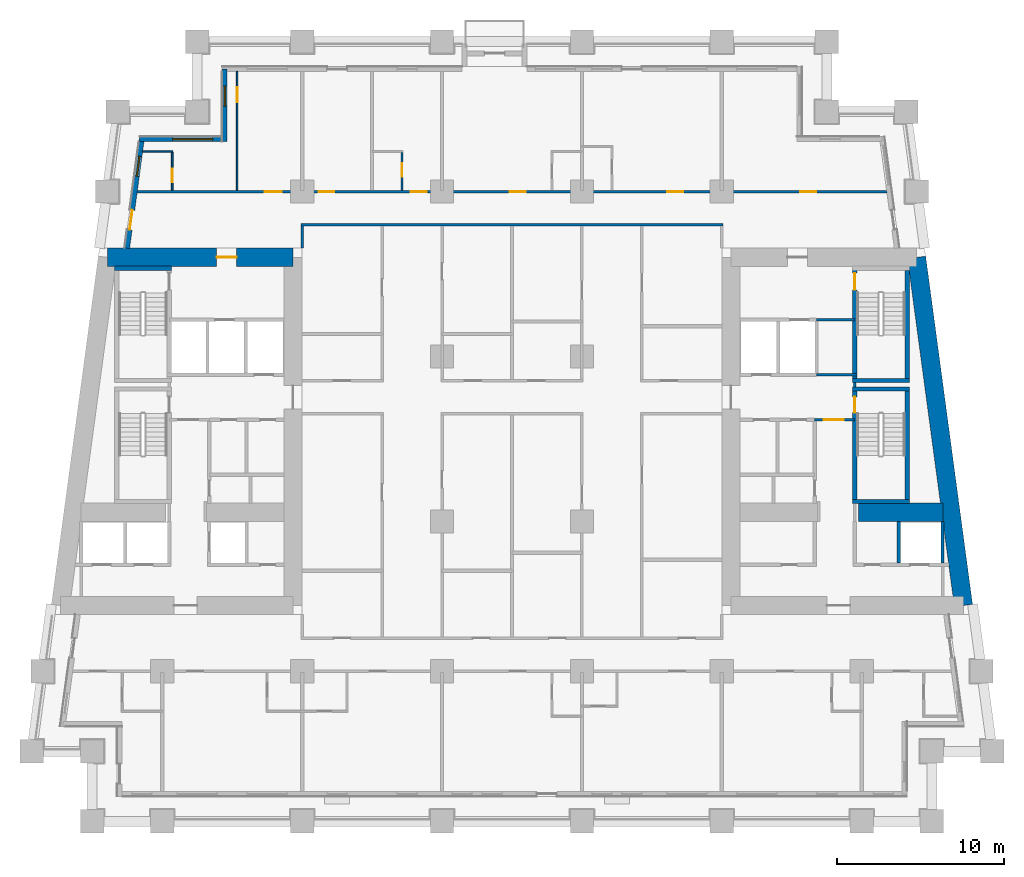
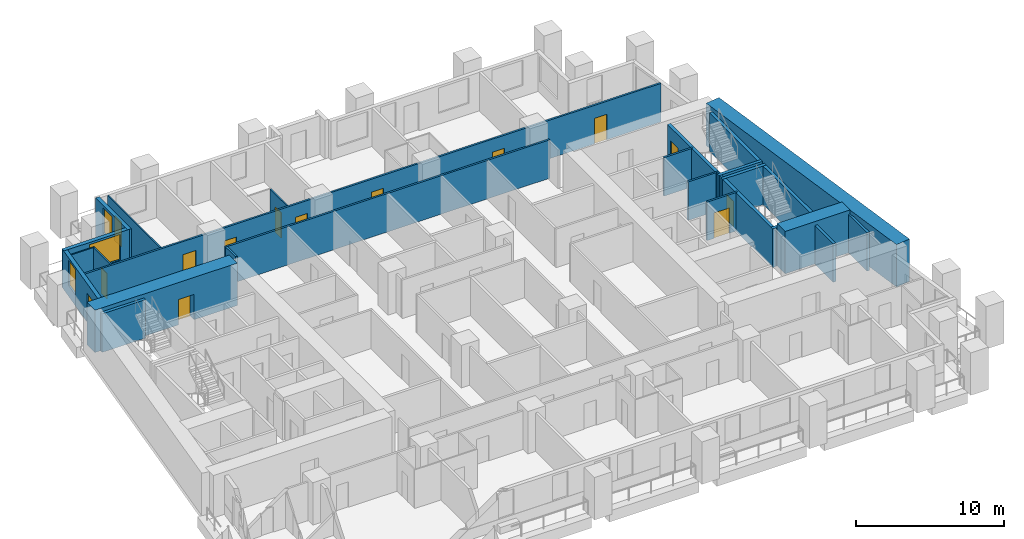
# One storey, part 6 of 13: 27 walls, 14 doors, 3 windows, 17 openings.
"""IFC4 building model written with IfcOpenShell, lengths in metres."""

from ifc_helpers import new_model, si_unit, direction, frame, frame_2d, origin, place, context, subcontext, project, spatial, rectangle, extrude, material, layer, layer_set, type_object, element, fill, save


model = new_model("IFC4")

# Units and contexts
model_context = context("Model", 3, precision=1e-05, world=origin(), true_north=direction((0.0, 1.0)))
body_context = subcontext(model_context, "Body", "Model", "MODEL_VIEW")
ifc_project = project(units=[si_unit("LENGTHUNIT", "METRE"), si_unit("AREAUNIT", "SQUARE_METRE"), si_unit("VOLUMEUNIT", "CUBIC_METRE"), si_unit("PLANEANGLEUNIT", "RADIAN"), si_unit("MASSUNIT", "GRAM", prefix="KILO")], contexts=[model_context])

# Site, building, storey
site_placement = place(None, origin())
site = spatial("IfcSite", under=ifc_project, at=site_placement, CompositionType="ELEMENT")
building_placement = place(site_placement, origin())
building = spatial("IfcBuilding", under=site, at=building_placement, Name="Candeia Pilgrim Tower and Theatre", CompositionType="ELEMENT")
storey_placement = place(building_placement, frame((0.0, 0.0, 60.0)))
storey = spatial("IfcBuildingStorey", under=building, at=storey_placement, Name="L12", CompositionType="ELEMENT", Elevation=60.0)

# Wall, opening, door
ifc_material_1 = material(Name="Concrete C80/95", Category="concrete")
ifc_layer_1 = layer(ifc_material_1, 1.10009765625)
ifc_layer_set_1 = layer_set([ifc_layer_1], Name="Core wall 1100 C80/95")
wall_type_1 = type_object("IfcWallType", Name="Core wall 1100 C80/95", PredefinedType="SHEAR", material=ifc_layer_set_1)
wall_1_placement = place(storey_placement, frame((89.111572265625, 131.85009765625, 0.0), z_axis=(0.0, 0.0, 1.0), x_axis=(1.0, 0.0, 0.0)))
wall_1 = element("IfcWall", 1, at=wall_1_placement, inside=storey, type_object=wall_type_1, Name="Core wall W1", PredefinedType="SHEAR", context=body_context, shape_type="SweptSolid", body=[
    extrude(rectangle(XDim=11.138427734375, YDim=1.10009765625, at=frame_2d((5.5693359375, 0.0))), origin(), (0.0, 0.0, 1.0), 3.5),
])
opening_1_placement = place(wall_1_placement, frame((6.5517578125, 0.0, 0.0)))
opening_1 = element("IfcOpeningElement", 2, at=opening_1_placement, cuts=wall_1, Name="Opening L12-D058", PredefinedType="OPENING", context=body_context, shape_type="SweptSolid", body=[
    extrude(rectangle(XDim=1.199951171875, YDim=2.10009765625, at=frame_2d((0.60009765625, 1.050048828125))), frame((0.0, 0.56005859375, 0.0), z_axis=(0.0, -1.0, 0.0), x_axis=(1.0, 0.0, 0.0)), (0.0, 0.0, 1.0), 1.1201171875),
])
ifc_material_2 = material(Name="Steel fire door set", Category="steel")
door_type_1 = type_object("IfcDoorType", Name="D-1200-FD60", OperationType="NOTDEFINED", PredefinedType="DOOR", material=ifc_material_2)
door_1_placement = place(opening_1_placement, origin())
door_1 = element("IfcDoor", 3, at=door_1_placement, inside=storey, type_object=door_type_1, Name="Door L12-D058", OperationType="SINGLE_SWING_RIGHT", OverallHeight=2.10009765625, OverallWidth=1.199951171875, PredefinedType="DOOR", context=body_context, shape_type="SweptSolid", body=[
    extrude(rectangle(XDim=1.199951171875, YDim=2.10009765625, at=frame_2d((0.60009765625, 1.050048828125))), frame((0.0, 0.02490234375, 0.0), z_axis=(0.0, -1.0, 0.0), x_axis=(1.0, 0.0, 0.0)), (0.0, 0.0, 1.0), 0.050048828125),
])
fill(opening_1, door_1)

# Walls
wall_2_placement = place(storey_placement, frame((137.688232421875, 131.85009765625, 0.0), z_axis=(0.0, 0.0, 1.0), x_axis=(0.133411793472, -0.991060691059, 0.0)))
element("IfcWall", 4, at=wall_2_placement, inside=storey, type_object=wall_type_1, Name="Core wall E2", PredefinedType="SHEAR", context=body_context, shape_type="SweptSolid", body=[
    extrude(rectangle(XDim=21.088623046875, YDim=1.10009765625, at=frame_2d((10.54443359375, 0.0))), origin(), (0.0, 0.0, 1.0), 3.5),
])
wall_3_placement = place(storey_placement, frame((134.199951171875, 116.550048828125, 0.0), z_axis=(0.0, 0.0, 1.0), x_axis=(1.0, 0.0, 0.0)))
element("IfcWall", 5, at=wall_3_placement, inside=storey, type_object=wall_type_1, Name="Core wall E6", PredefinedType="SHEAR", context=body_context, shape_type="SweptSolid", body=[
    extrude(rectangle(XDim=5.076904296875, YDim=1.10009765625, at=frame_2d((2.53857421875, 0.0))), origin(), (0.0, 0.0, 1.0), 3.5),
])

# Wall, opening, window
ifc_material_3 = material(Name="Ceramic block masonry", Category="masonry")
ifc_layer_2 = layer(ifc_material_3, 0.300048828125)
ifc_layer_set_2 = layer_set([ifc_layer_2], Name="EW1 glazing-line wall 300")
wall_type_2 = type_object("IfcWallType", Name="EW1 glazing-line wall 300", PredefinedType="SOLIDWALL", material=ifc_layer_set_2)
wall_4_placement = place(storey_placement, frame((96.14990234375, 143.14990234375, 0.0), z_axis=(0.0, 0.0, 1.0), x_axis=(0.0, -1.0, 0.0)))
wall_4 = element("IfcWall", 6, at=wall_4_placement, inside=storey, type_object=wall_type_2, Name="External wall L12-7.0", PredefinedType="SOLIDWALL", context=body_context, shape_type="SweptSolid", body=[
    extrude(rectangle(XDim=4.349853515625, YDim=0.300048828125, at=frame_2d((2.1748046875, 0.0))), origin(), (0.0, 0.0, 1.0), 3.179931640625),
])
opening_2_placement = place(wall_4_placement, frame((1.02490234375, 0.0, 0.89990234375)))
opening_2 = element("IfcOpeningElement", 7, at=opening_2_placement, cuts=wall_4, Name="Opening W-B", PredefinedType="OPENING", context=body_context, shape_type="SweptSolid", body=[
    extrude(rectangle(XDim=1.199951171875, YDim=2.10009765625, at=frame_2d((0.60009765625, 1.050048828125))), frame((0.0, 0.16015625, 0.0), z_axis=(0.0, -1.0, 0.0), x_axis=(1.0, 0.0, 0.0)), (0.0, 0.0, 1.0), 0.320068359375),
])
ifc_material_4 = material(Name="Aluminium framed double glazing", Category="aluminium")
window_type_1 = type_object("IfcWindowType", Name="W-B window 1200x2100", PartitioningType="SINGLE_PANEL", PredefinedType="WINDOW", material=ifc_material_4)
window_1_placement = place(opening_2_placement, origin())
window_1 = element("IfcWindow", 8, at=window_1_placement, inside=storey, type_object=window_type_1, Name="Window W-B L12", OverallHeight=2.10009765625, OverallWidth=1.199951171875, PartitioningType="SINGLE_PANEL", PredefinedType="WINDOW", context=body_context, shape_type="SweptSolid", body=[
    extrude(rectangle(XDim=1.199951171875, YDim=2.10009765625, at=frame_2d((0.60009765625, 1.050048828125))), frame((0.0, 0.030029296875, 0.0), z_axis=(0.0, -1.0, 0.0), x_axis=(1.0, 0.0, 0.0)), (0.0, 0.0, 1.0), 0.06005859375),
])
fill(opening_2, window_1)

wall_5_placement = place(storey_placement, frame((96.14990234375, 138.949951171875, 0.0), z_axis=(0.0, 0.0, 1.0), x_axis=(-1.0, 0.0, 0.0)))
wall_5 = element("IfcWall", 9, at=wall_5_placement, inside=storey, type_object=wall_type_2, Name="External wall L12-8.0", PredefinedType="SOLIDWALL", context=body_context, shape_type="SweptSolid", body=[
    extrude(rectangle(XDim=5.103759765625, YDim=0.300048828125, at=frame_2d((2.5517578125, 0.0))), origin(), (0.0, 0.0, 1.0), 3.179931640625),
])
opening_3_placement = place(wall_5_placement, frame((0.72509765625, 0.0, 0.89990234375)))
opening_3 = element("IfcOpeningElement", 10, at=opening_3_placement, cuts=wall_5, Name="Opening W-A", PredefinedType="OPENING", context=body_context, shape_type="SweptSolid", body=[
    extrude(rectangle(XDim=2.39990234375, YDim=2.10009765625, at=frame_2d((1.199951171875, 1.050048828125))), frame((0.0, 0.16015625, 0.0), z_axis=(0.0, -1.0, 0.0), x_axis=(1.0, 0.0, 0.0)), (0.0, 0.0, 1.0), 0.320068359375),
])
window_type_2 = type_object("IfcWindowType", Name="W-A window 2400x2100", PartitioningType="DOUBLE_PANEL_VERTICAL", PredefinedType="WINDOW", material=ifc_material_4)
window_2_placement = place(opening_3_placement, origin())
window_2 = element("IfcWindow", 11, at=window_2_placement, inside=storey, type_object=window_type_2, Name="Window W-A L12", OverallHeight=2.10009765625, OverallWidth=2.39990234375, PartitioningType="SINGLE_PANEL", PredefinedType="WINDOW", context=body_context, shape_type="SweptSolid", body=[
    extrude(rectangle(XDim=2.39990234375, YDim=2.10009765625, at=frame_2d((1.199951171875, 1.050048828125))), frame((0.0, 0.030029296875, 0.0), z_axis=(0.0, -1.0, 0.0), x_axis=(1.0, 0.0, 0.0)), (0.0, 0.0, 1.0), 0.06005859375),
])
fill(opening_3, window_2)

# Wall, openings, door, window
wall_6_placement = place(storey_placement, frame((91.177490234375, 138.949951171875, 0.0), z_axis=(0.0, 0.0, 1.0), x_axis=(-0.133426664613, -0.991058689065, 0.0)))
wall_6 = element("IfcWall", 12, at=wall_6_placement, inside=storey, type_object=wall_type_2, Name="External wall L12-9.0", PredefinedType="SOLIDWALL", context=body_context, shape_type="SweptSolid", body=[
    extrude(rectangle(XDim=6.609130859375, YDim=0.300048828125, at=frame_2d((3.3046875, 0.0))), origin(), (0.0, 0.0, 1.0), 3.179931640625),
])
opening_4_placement = place(wall_6_placement, frame((1.039306640625, 0.0, 0.89990234375)))
opening_4 = element("IfcOpeningElement", 13, at=opening_4_placement, cuts=wall_6, Name="Opening W-B", PredefinedType="OPENING", context=body_context, shape_type="SweptSolid", body=[
    extrude(rectangle(XDim=1.199951171875, YDim=2.10009765625, at=frame_2d((0.60009765625, 1.050048828125))), frame((0.0, 0.16015625, 0.0), z_axis=(0.0, -1.0, 0.0), x_axis=(1.0, 0.0, 0.0)), (0.0, 0.0, 1.0), 0.320068359375),
])
opening_5_placement = place(wall_6_placement, frame((4.293701171875, 0.0, 0.0)))
opening_5 = element("IfcOpeningElement", 14, at=opening_5_placement, cuts=wall_6, Name="Opening L12-ED144", PredefinedType="OPENING", context=body_context, shape_type="SweptSolid", body=[
    extrude(rectangle(XDim=1.199951171875, YDim=2.39990234375, at=frame_2d((0.60009765625, 1.199951171875))), frame((0.0, 0.16015625, 0.0), z_axis=(0.0, -1.0, 0.0), x_axis=(1.0, 0.0, 0.0)), (0.0, 0.0, 1.0), 0.320068359375),
])
ifc_material_5 = material(Name="Aluminium framed glazed door", Category="aluminium")
door_type_2 = type_object("IfcDoorType", Name="Loggia door 1200x2400", OperationType="DOUBLE_DOOR_SINGLE_SWING", PredefinedType="DOOR", material=ifc_material_5)
door_2_placement = place(opening_5_placement, origin())
door_2 = element("IfcDoor", 15, at=door_2_placement, inside=storey, type_object=door_type_2, Name="Loggia door L12-ED144", OperationType="DOUBLE_DOOR_SINGLE_SWING", OverallHeight=2.39990234375, OverallWidth=1.199951171875, PredefinedType="DOOR", context=body_context, shape_type="SweptSolid", body=[
    extrude(rectangle(XDim=1.199951171875, YDim=2.39990234375, at=frame_2d((0.60009765625, 1.199951171875))), frame((0.0, 0.02490234375, 0.0), z_axis=(0.0, -1.0, 0.0), x_axis=(1.0, 0.0, 0.0)), (0.0, 0.0, 1.0), 0.050048828125),
])
fill(opening_5, door_2)
window_3_placement = place(opening_4_placement, origin())
window_3 = element("IfcWindow", 16, at=window_3_placement, inside=storey, type_object=window_type_1, Name="Window W-B L12", OverallHeight=2.10009765625, OverallWidth=1.199951171875, PartitioningType="SINGLE_PANEL", PredefinedType="WINDOW", context=body_context, shape_type="SweptSolid", body=[
    extrude(rectangle(XDim=1.199951171875, YDim=2.10009765625, at=frame_2d((0.60009765625, 1.050048828125))), frame((0.0, 0.030029296875, 0.0), z_axis=(0.0, -1.0, 0.0), x_axis=(1.0, 0.0, 0.0)), (0.0, 0.0, 1.0), 0.06005859375),
])
fill(opening_4, window_3)

# Wall
ifc_material_6 = material(Name="Gypsum board partition on steel studs", Category="steel")
ifc_layer_3 = layer(ifc_material_6, 0.10009765625)
ifc_layer_set_3 = layer_set([ifc_layer_3], Name="PW-100 room partition")
wall_type_3 = type_object("IfcWallType", Name="PW-100 room partition", PredefinedType="PARTITIONING", material=ifc_layer_set_3)
wall_7_placement = place(storey_placement, frame((91.2177734375, 138.199951171875, 0.0), z_axis=(0.0, 0.0, 1.0), x_axis=(1.0, 0.0, 0.0)))
element("IfcWall", 17, at=wall_7_placement, inside=storey, type_object=wall_type_3, Name="Room partition L12-049", PredefinedType="PARTITIONING", context=body_context, shape_type="SweptSolid", body=[
    extrude(rectangle(XDim=1.832275390625, YDim=0.10009765625, at=frame_2d((0.916015625, 0.0))), origin(), (0.0, 0.0, 1.0), 3.179931640625),
])

# Wall, opening, door
wall_8_placement = place(storey_placement, frame((93.0, 135.875, 0.0), z_axis=(0.0, 0.0, 1.0), x_axis=(0.0, 1.0, 0.0)))
wall_8 = element("IfcWall", 18, at=wall_8_placement, inside=storey, type_object=wall_type_3, Name="Room partition L12-065", PredefinedType="PARTITIONING", context=body_context, shape_type="SweptSolid", body=[
    extrude(rectangle(XDim=2.27490234375, YDim=0.10009765625, at=frame_2d((1.137451171875, 0.0))), origin(), (0.0, 0.0, 1.0), 3.179931640625),
])
opening_6_placement = place(wall_8_placement, frame((0.5, 0.0, 0.0)))
opening_6 = element("IfcOpeningElement", 19, at=opening_6_placement, cuts=wall_8, Name="Opening L12-D032", PredefinedType="OPENING", context=body_context, shape_type="SweptSolid", body=[
    extrude(rectangle(XDim=0.800048828125, YDim=2.10009765625, at=frame_2d((0.39990234375, 1.050048828125))), frame((0.0, 0.06005859375, 0.0), z_axis=(0.0, -1.0, 0.0), x_axis=(1.0, 0.0, 0.0)), (0.0, 0.0, 1.0), 0.1201171875),
])
ifc_material_7 = material(Name="Timber door leaf", Category="wood")
door_type_3 = type_object("IfcDoorType", Name="D-800", OperationType="NOTDEFINED", PredefinedType="DOOR", material=ifc_material_7)
door_3_placement = place(opening_6_placement, origin())
door_3 = element("IfcDoor", 20, at=door_3_placement, inside=storey, type_object=door_type_3, Name="Door L12-D032", OperationType="SINGLE_SWING_RIGHT", OverallHeight=2.10009765625, OverallWidth=0.800048828125, PredefinedType="DOOR", context=body_context, shape_type="SweptSolid", body=[
    extrude(rectangle(XDim=0.800048828125, YDim=2.10009765625, at=frame_2d((0.39990234375, 1.050048828125))), frame((0.0, 0.02490234375, 0.0), z_axis=(0.0, -1.0, 0.0), x_axis=(1.0, 0.0, 0.0)), (0.0, 0.0, 1.0), 0.050048828125),
])
fill(opening_6, door_3)

wall_9_placement = place(storey_placement, frame((96.89990234375, 135.875, 0.0), z_axis=(0.0, 0.0, 1.0), x_axis=(0.0, 1.0, 0.0)))
wall_9 = element("IfcWall", 21, at=wall_9_placement, inside=storey, type_object=wall_type_3, Name="Room partition L12-070", PredefinedType="PARTITIONING", context=body_context, shape_type="SweptSolid", body=[
    extrude(rectangle(XDim=7.135009765625, YDim=0.10009765625, at=frame_2d((3.5673828125, 0.0))), origin(), (0.0, 0.0, 1.0), 3.179931640625),
])
opening_7_placement = place(wall_9_placement, frame((5.2900390625, 0.0, 0.0)))
opening_7 = element("IfcOpeningElement", 22, at=opening_7_placement, cuts=wall_9, Name="Opening L12-D031", PredefinedType="OPENING", context=body_context, shape_type="SweptSolid", body=[
    extrude(rectangle(XDim=0.89990234375, YDim=2.10009765625, at=frame_2d((0.449951171875, 1.050048828125))), frame((0.0, 0.06005859375, 0.0), z_axis=(0.0, -1.0, 0.0), x_axis=(1.0, 0.0, 0.0)), (0.0, 0.0, 1.0), 0.1201171875),
])
door_type_4 = type_object("IfcDoorType", Name="D-900", OperationType="NOTDEFINED", PredefinedType="DOOR", material=ifc_material_7)
door_4_placement = place(opening_7_placement, origin())
door_4 = element("IfcDoor", 23, at=door_4_placement, inside=storey, type_object=door_type_4, Name="Door L12-D031", OperationType="SINGLE_SWING_LEFT", OverallHeight=2.10009765625, OverallWidth=0.89990234375, PredefinedType="DOOR", context=body_context, shape_type="SweptSolid", body=[
    extrude(rectangle(XDim=0.89990234375, YDim=2.10009765625, at=frame_2d((0.449951171875, 1.050048828125))), frame((0.0, 0.02490234375, 0.0), z_axis=(0.0, -1.0, 0.0), x_axis=(1.0, 0.0, 0.0)), (0.0, 0.0, 1.0), 0.050048828125),
])
fill(opening_7, door_4)

wall_10_placement = place(storey_placement, frame((106.800048828125, 135.875, 0.0), z_axis=(0.0, 0.0, 1.0), x_axis=(0.0, 1.0, 0.0)))
wall_10 = element("IfcWall", 24, at=wall_10_placement, inside=storey, type_object=wall_type_3, Name="Room partition L12-084", PredefinedType="PARTITIONING", context=body_context, shape_type="SweptSolid", body=[
    extrude(rectangle(XDim=2.27490234375, YDim=0.10009765625, at=frame_2d((1.137451171875, 0.0))), origin(), (0.0, 0.0, 1.0), 3.179931640625),
])
opening_8_placement = place(wall_10_placement, frame((0.81494140625, 0.0, 0.0)))
opening_8 = element("IfcOpeningElement", 25, at=opening_8_placement, cuts=wall_10, Name="Opening L12-D035", PredefinedType="OPENING", context=body_context, shape_type="SweptSolid", body=[
    extrude(rectangle(XDim=0.800048828125, YDim=2.10009765625, at=frame_2d((0.39990234375, 1.050048828125))), frame((0.0, 0.06005859375, 0.0), z_axis=(0.0, -1.0, 0.0), x_axis=(1.0, 0.0, 0.0)), (0.0, 0.0, 1.0), 0.1201171875),
])
door_5_placement = place(opening_8_placement, origin())
door_5 = element("IfcDoor", 26, at=door_5_placement, inside=storey, type_object=door_type_3, Name="Door L12-D035", OperationType="SINGLE_SWING_LEFT", OverallHeight=2.10009765625, OverallWidth=0.800048828125, PredefinedType="DOOR", context=body_context, shape_type="SweptSolid", body=[
    extrude(rectangle(XDim=0.800048828125, YDim=2.10009765625, at=frame_2d((0.39990234375, 1.050048828125))), frame((0.0, 0.02490234375, 0.0), z_axis=(0.0, -1.0, 0.0), x_axis=(1.0, 0.0, 0.0)), (0.0, 0.0, 1.0), 0.050048828125),
])
fill(opening_8, door_5)

ifc_layer_4 = layer(ifc_material_6, 0.14990234375)
ifc_layer_set_4 = layer_set([ifc_layer_4], Name="PW-150 lobby wall")
wall_type_4 = type_object("IfcWallType", Name="PW-150 lobby wall", PredefinedType="PARTITIONING", material=ifc_layer_set_4)
wall_11_placement = place(storey_placement, frame((131.572998046875, 122.10009765625, 0.0), z_axis=(0.0, 0.0, 1.0), x_axis=(1.0, 0.0, 0.0)))
wall_11 = element("IfcWall", 27, at=wall_11_placement, inside=storey, type_object=wall_type_4, Name="Lobby wall L12-024", PredefinedType="PARTITIONING", context=body_context, shape_type="SweptSolid", body=[
    extrude(rectangle(XDim=2.39990234375, YDim=0.14990234375, at=frame_2d((1.199951171875, 0.0))), origin(), (0.0, 0.0, 1.0), 3.179931640625),
])
opening_9_placement = place(wall_11_placement, frame((0.550048828125, 0.0, 0.0)))
opening_9 = element("IfcOpeningElement", 28, at=opening_9_placement, cuts=wall_11, Name="Opening L12-D008", PredefinedType="OPENING", context=body_context, shape_type="SweptSolid", body=[
    extrude(rectangle(XDim=1.199951171875, YDim=2.10009765625, at=frame_2d((0.60009765625, 1.050048828125))), frame((0.0, 0.0849609375, 0.0), z_axis=(0.0, -1.0, 0.0), x_axis=(1.0, 0.0, 0.0)), (0.0, 0.0, 1.0), 0.169921875),
])
door_6_placement = place(opening_9_placement, origin())
door_6 = element("IfcDoor", 29, at=door_6_placement, inside=storey, type_object=door_type_1, Name="Door L12-D008", OperationType="SINGLE_SWING_LEFT", OverallHeight=2.10009765625, OverallWidth=1.199951171875, PredefinedType="DOOR", context=body_context, shape_type="SweptSolid", body=[
    extrude(rectangle(XDim=1.199951171875, YDim=2.10009765625, at=frame_2d((0.60009765625, 1.050048828125))), frame((0.0, 0.02490234375, 0.0), z_axis=(0.0, -1.0, 0.0), x_axis=(1.0, 0.0, 0.0)), (0.0, 0.0, 1.0), 0.050048828125),
])
fill(opening_9, door_6)

# Walls
wall_12_placement = place(storey_placement, frame((131.681884765625, 124.800048828125, 0.0), z_axis=(0.0, 0.0, 1.0), x_axis=(1.0, 0.0, 0.0)))
element("IfcWall", 30, at=wall_12_placement, inside=storey, type_object=wall_type_4, Name="Lobby wall L12-037", PredefinedType="PARTITIONING", context=body_context, shape_type="SweptSolid", body=[
    extrude(rectangle(XDim=2.416015625, YDim=0.14990234375, at=frame_2d((1.2080078125, 0.0))), origin(), (0.0, 0.0, 1.0), 3.179931640625),
])
wall_13_placement = place(storey_placement, frame((131.681884765625, 128.10009765625, 0.0), z_axis=(0.0, 0.0, 1.0), x_axis=(1.0, 0.0, 0.0)))
element("IfcWall", 31, at=wall_13_placement, inside=storey, type_object=wall_type_4, Name="Lobby wall L12-044", PredefinedType="PARTITIONING", context=body_context, shape_type="SweptSolid", body=[
    extrude(rectangle(XDim=2.291015625, YDim=0.14990234375, at=frame_2d((1.1455078125, 0.0))), origin(), (0.0, 0.0, 1.0), 3.179931640625),
])
wall_14_placement = place(storey_placement, frame((133.972900390625, 124.074951171875, 0.0), z_axis=(0.0, 0.0, 1.0), x_axis=(0.0, 1.0, 0.0)))
element("IfcWall", 32, at=wall_14_placement, inside=storey, type_object=wall_type_4, Name="Lobby wall L12-115", PredefinedType="PARTITIONING", context=body_context, shape_type="SweptSolid", body=[
    extrude(rectangle(XDim=0.25, YDim=0.14990234375, at=frame_2d((0.125, 0.0))), origin(), (0.0, 0.0, 1.0), 3.179931640625),
])
ifc_layer_5 = layer(ifc_material_6, 0.14990234375)
ifc_layer_set_5 = layer_set([ifc_layer_5], Name="PW-150 unit wall")
wall_type_5 = type_object("IfcWallType", Name="PW-150 unit wall", PredefinedType="PARTITIONING", material=ifc_layer_set_5)
wall_15_placement = place(storey_placement, frame((100.72509765625, 133.800048828125, 0.0), z_axis=(0.0, 0.0, 1.0), x_axis=(1.0, 0.0, 0.0)))
element("IfcWall", 33, at=wall_15_placement, inside=storey, type_object=wall_type_5, Name="Unit wall L12-047", PredefinedType="PARTITIONING", context=body_context, shape_type="SweptSolid", body=[
    extrude(rectangle(XDim=25.349853515625, YDim=0.14990234375, at=frame_2d((12.6748046875, 0.0))), origin(), (0.0, 0.0, 1.0), 3.179931640625),
])

# Wall, openings, doors
wall_16_placement = place(storey_placement, frame((90.89453125, 135.800048828125, 0.0), z_axis=(0.0, 0.0, 1.0), x_axis=(1.0, 0.0, 0.0)))
wall_16 = element("IfcWall", 34, at=wall_16_placement, inside=storey, type_object=wall_type_5, Name="Unit wall L12-048", PredefinedType="PARTITIONING", context=body_context, shape_type="SweptSolid", body=[
    extrude(rectangle(XDim=45.010986328125, YDim=0.14990234375, at=frame_2d((22.50537109375, 0.0))), origin(), (0.0, 0.0, 1.0), 3.179931640625),
])
opening_10_placement = place(wall_16_placement, frame((7.67529296875, 0.0, 0.0)))
opening_10 = element("IfcOpeningElement", 35, at=opening_10_placement, cuts=wall_16, Name="Opening L12-D030", PredefinedType="OPENING", context=body_context, shape_type="SweptSolid", body=[
    extrude(rectangle(XDim=1.0, YDim=2.10009765625, at=frame_2d((0.5, 1.050048828125))), frame((0.0, 0.0849609375, 0.0), z_axis=(0.0, -1.0, 0.0), x_axis=(1.0, 0.0, 0.0)), (0.0, 0.0, 1.0), 0.169921875),
])
opening_11_placement = place(wall_16_placement, frame((10.892333984375, 0.0, 0.0)))
opening_11 = element("IfcOpeningElement", 36, at=opening_11_placement, cuts=wall_16, Name="Opening L12-D033", PredefinedType="OPENING", context=body_context, shape_type="SweptSolid", body=[
    extrude(rectangle(XDim=0.949951171875, YDim=2.10009765625, at=frame_2d((0.47509765625, 1.050048828125))), frame((0.0, 0.0849609375, 0.0), z_axis=(0.0, -1.0, 0.0), x_axis=(1.0, 0.0, 0.0)), (0.0, 0.0, 1.0), 0.169921875),
])
opening_12_placement = place(wall_16_placement, frame((16.4423828125, 0.0, 0.0)))
opening_12 = element("IfcOpeningElement", 37, at=opening_12_placement, cuts=wall_16, Name="Opening L12-D034", PredefinedType="OPENING", context=body_context, shape_type="SweptSolid", body=[
    extrude(rectangle(XDim=0.949951171875, YDim=2.10009765625, at=frame_2d((0.47509765625, 1.050048828125))), frame((0.0, 0.0849609375, 0.0), z_axis=(0.0, -1.0, 0.0), x_axis=(1.0, 0.0, 0.0)), (0.0, 0.0, 1.0), 0.169921875),
])
opening_13_placement = place(wall_16_placement, frame((22.368408203125, 0.0, 0.0)))
opening_13 = element("IfcOpeningElement", 38, at=opening_13_placement, cuts=wall_16, Name="Opening L12-D036", PredefinedType="OPENING", context=body_context, shape_type="SweptSolid", body=[
    extrude(rectangle(XDim=0.949951171875, YDim=2.10009765625, at=frame_2d((0.47509765625, 1.050048828125))), frame((0.0, 0.0849609375, 0.0), z_axis=(0.0, -1.0, 0.0), x_axis=(1.0, 0.0, 0.0)), (0.0, 0.0, 1.0), 0.169921875),
])
opening_14_placement = place(wall_16_placement, frame((31.825439453125, 0.0, 0.0)))
opening_14 = element("IfcOpeningElement", 39, at=opening_14_placement, cuts=wall_16, Name="Opening L12-D038", PredefinedType="OPENING", context=body_context, shape_type="SweptSolid", body=[
    extrude(rectangle(XDim=0.949951171875, YDim=2.10009765625, at=frame_2d((0.47509765625, 1.050048828125))), frame((0.0, 0.0849609375, 0.0), z_axis=(0.0, -1.0, 0.0), x_axis=(1.0, 0.0, 0.0)), (0.0, 0.0, 1.0), 0.169921875),
])
opening_15_placement = place(wall_16_placement, frame((39.814453125, 0.0, 0.0)))
opening_15 = element("IfcOpeningElement", 40, at=opening_15_placement, cuts=wall_16, Name="Opening L12-D040", PredefinedType="OPENING", context=body_context, shape_type="SweptSolid", body=[
    extrude(rectangle(XDim=0.949951171875, YDim=2.10009765625, at=frame_2d((0.47509765625, 1.050048828125))), frame((0.0, 0.0849609375, 0.0), z_axis=(0.0, -1.0, 0.0), x_axis=(1.0, 0.0, 0.0)), (0.0, 0.0, 1.0), 0.169921875),
])
door_type_5 = type_object("IfcDoorType", Name="D-1000-FD30S", OperationType="NOTDEFINED", PredefinedType="DOOR", material=ifc_material_2)
door_7_placement = place(opening_10_placement, origin())
door_7 = element("IfcDoor", 41, at=door_7_placement, inside=storey, type_object=door_type_5, Name="Door L12-D030", OperationType="SINGLE_SWING_RIGHT", OverallHeight=2.10009765625, OverallWidth=1.0, PredefinedType="DOOR", context=body_context, shape_type="SweptSolid", body=[
    extrude(rectangle(XDim=1.0, YDim=2.10009765625, at=frame_2d((0.5, 1.050048828125))), frame((0.0, 0.02490234375, 0.0), z_axis=(0.0, -1.0, 0.0), x_axis=(1.0, 0.0, 0.0)), (0.0, 0.0, 1.0), 0.050048828125),
])
fill(opening_10, door_7)
door_type_6 = type_object("IfcDoorType", Name="D-950-FD30S", OperationType="NOTDEFINED", PredefinedType="DOOR", material=ifc_material_2)
door_8_placement = place(opening_11_placement, origin())
door_8 = element("IfcDoor", 42, at=door_8_placement, inside=storey, type_object=door_type_6, Name="Door L12-D033", OperationType="SINGLE_SWING_LEFT", OverallHeight=2.10009765625, OverallWidth=0.949951171875, PredefinedType="DOOR", context=body_context, shape_type="SweptSolid", body=[
    extrude(rectangle(XDim=0.949951171875, YDim=2.10009765625, at=frame_2d((0.47509765625, 1.050048828125))), frame((0.0, 0.02490234375, 0.0), z_axis=(0.0, -1.0, 0.0), x_axis=(1.0, 0.0, 0.0)), (0.0, 0.0, 1.0), 0.050048828125),
])
fill(opening_11, door_8)
door_9_placement = place(opening_12_placement, origin())
door_9 = element("IfcDoor", 43, at=door_9_placement, inside=storey, type_object=door_type_6, Name="Door L12-D034", OperationType="SINGLE_SWING_RIGHT", OverallHeight=2.10009765625, OverallWidth=0.949951171875, PredefinedType="DOOR", context=body_context, shape_type="SweptSolid", body=[
    extrude(rectangle(XDim=0.949951171875, YDim=2.10009765625, at=frame_2d((0.47509765625, 1.050048828125))), frame((0.0, 0.02490234375, 0.0), z_axis=(0.0, -1.0, 0.0), x_axis=(1.0, 0.0, 0.0)), (0.0, 0.0, 1.0), 0.050048828125),
])
fill(opening_12, door_9)
door_10_placement = place(opening_13_placement, origin())
door_10 = element("IfcDoor", 44, at=door_10_placement, inside=storey, type_object=door_type_6, Name="Door L12-D036", OperationType="SINGLE_SWING_RIGHT", OverallHeight=2.10009765625, OverallWidth=0.949951171875, PredefinedType="DOOR", context=body_context, shape_type="SweptSolid", body=[
    extrude(rectangle(XDim=0.949951171875, YDim=2.10009765625, at=frame_2d((0.47509765625, 1.050048828125))), frame((0.0, 0.02490234375, 0.0), z_axis=(0.0, -1.0, 0.0), x_axis=(1.0, 0.0, 0.0)), (0.0, 0.0, 1.0), 0.050048828125),
])
fill(opening_13, door_10)
door_11_placement = place(opening_14_placement, origin())
door_11 = element("IfcDoor", 45, at=door_11_placement, inside=storey, type_object=door_type_6, Name="Door L12-D038", OperationType="SINGLE_SWING_RIGHT", OverallHeight=2.10009765625, OverallWidth=0.949951171875, PredefinedType="DOOR", context=body_context, shape_type="SweptSolid", body=[
    extrude(rectangle(XDim=0.949951171875, YDim=2.10009765625, at=frame_2d((0.47509765625, 1.050048828125))), frame((0.0, 0.02490234375, 0.0), z_axis=(0.0, -1.0, 0.0), x_axis=(1.0, 0.0, 0.0)), (0.0, 0.0, 1.0), 0.050048828125),
])
fill(opening_14, door_11)
door_12_placement = place(opening_15_placement, origin())
door_12 = element("IfcDoor", 46, at=door_12_placement, inside=storey, type_object=door_type_6, Name="Door L12-D040", OperationType="SINGLE_SWING_RIGHT", OverallHeight=2.10009765625, OverallWidth=0.949951171875, PredefinedType="DOOR", context=body_context, shape_type="SweptSolid", body=[
    extrude(rectangle(XDim=0.949951171875, YDim=2.10009765625, at=frame_2d((0.47509765625, 1.050048828125))), frame((0.0, 0.02490234375, 0.0), z_axis=(0.0, -1.0, 0.0), x_axis=(1.0, 0.0, 0.0)), (0.0, 0.0, 1.0), 0.050048828125),
])
fill(opening_15, door_12)

# Walls
wall_17_placement = place(storey_placement, frame((100.800048828125, 132.39990234375, 0.0), z_axis=(0.0, 0.0, 1.0), x_axis=(0.0, 1.0, 0.0)))
element("IfcWall", 47, at=wall_17_placement, inside=storey, type_object=wall_type_5, Name="Unit wall L12-079", PredefinedType="PARTITIONING", context=body_context, shape_type="SweptSolid", body=[
    extrude(rectangle(XDim=1.3251953125, YDim=0.14990234375, at=frame_2d((0.66259765625, 0.0))), origin(), (0.0, 0.0, 1.0), 3.179931640625),
])
ifc_material_8 = material(Name="Concrete C40/50", Category="concrete")
ifc_layer_6 = layer(ifc_material_8, 0.199951171875)
ifc_layer_set_6 = layer_set([ifc_layer_6], Name="SW-200 shaft wall")
wall_type_6 = type_object("IfcWallType", Name="SW-200 shaft wall", PredefinedType="PARTITIONING", material=ifc_layer_set_6)
for number, where, z_axis, x_axis, name in (
    (48, (136.62158203125, 113.5, 0.0), (0.0, 0.0, 1.0), (0.0, 1.0, 0.0), "Shaft wall L12-119"),
    (49, (139.247802734375, 113.5, 0.0), (0.0, 0.0, 1.0), (0.0, 1.0, 0.0), "Shaft wall L12-123"),
):
    element("IfcWall", number, at=place(storey_placement, frame(where, z_axis=z_axis, x_axis=x_axis)), inside=storey, type_object=wall_type_6, Name=name, PredefinedType="PARTITIONING", context=body_context, shape_type="SweptSolid", body=[
        extrude(rectangle(XDim=2.5, YDim=0.199951171875, at=frame_2d((1.25, 0.0))), origin(), (0.0, 0.0, 1.0), 3.179931640625),
    ])
ifc_layer_7 = layer(ifc_material_8, 0.25)
ifc_layer_set_7 = layer_set([ifc_layer_7], Name="SW-250 stair wall")
wall_type_7 = type_object("IfcWallType", Name="SW-250 stair wall", PredefinedType="PARTITIONING", material=ifc_layer_set_7)
for number, where, z_axis, x_axis, name in (
    (50, (133.847900390625, 117.199951171875, 0.0), (0.0, 0.0, 1.0), (1.0, 0.0, 0.0), "Stair wall L12-018"),
    (51, (133.847900390625, 123.949951171875, 0.0), (0.0, 0.0, 1.0), (1.0, 0.0, 0.0), "Stair wall L12-029"),
    (52, (133.847900390625, 124.449951171875, 0.0), (0.0, 0.0, 1.0), (1.0, 0.0, 0.0), "Stair wall L12-031"),
):
    element("IfcWall", number, at=place(storey_placement, frame(where, z_axis=z_axis, x_axis=x_axis)), inside=storey, type_object=wall_type_7, Name=name, PredefinedType="PARTITIONING", context=body_context, shape_type="SweptSolid", body=[
        extrude(rectangle(XDim=3.400146484375, YDim=0.25, at=frame_2d((1.7001953125, 0.0))), origin(), (0.0, 0.0, 1.0), 3.179931640625),
    ])
wall_18_placement = place(storey_placement, frame((89.552001953125, 131.199951171875, 0.0), z_axis=(0.0, 0.0, 1.0), x_axis=(1.0, 0.0, 0.0)))
element("IfcWall", 53, at=wall_18_placement, inside=storey, type_object=wall_type_7, Name="Stair wall L12-045", PredefinedType="PARTITIONING", context=body_context, shape_type="SweptSolid", body=[
    extrude(rectangle(XDim=3.39990234375, YDim=0.25, at=frame_2d((1.699951171875, 0.0))), origin(), (0.0, 0.0, 1.0), 3.179931640625),
])

# Wall, opening, door
wall_19_placement = place(storey_placement, frame((133.972900390625, 117.070068359375, 0.0), z_axis=(0.0, 0.0, 1.0), x_axis=(0.0, 1.0, 0.0)))
wall_19 = element("IfcWall", 54, at=wall_19_placement, inside=storey, type_object=wall_type_7, Name="Stair wall L12-116", PredefinedType="PARTITIONING", context=body_context, shape_type="SweptSolid", body=[
    extrude(rectangle(XDim=6.7548828125, YDim=0.25, at=frame_2d((3.37744140625, 0.0))), origin(), (0.0, 0.0, 1.0), 3.179931640625),
])
opening_16_placement = place(wall_19_placement, frame((5.455078125, 0.0, 0.0)))
opening_16 = element("IfcOpeningElement", 55, at=opening_16_placement, cuts=wall_19, Name="Opening L12-D011", PredefinedType="OPENING", context=body_context, shape_type="SweptSolid", body=[
    extrude(rectangle(XDim=0.949951171875, YDim=2.10009765625, at=frame_2d((0.47509765625, 1.050048828125))), frame((0.0, 0.135009765625, 0.0), z_axis=(0.0, -1.0, 0.0), x_axis=(1.0, 0.0, 0.0)), (0.0, 0.0, 1.0), 0.27001953125),
])
door_type_7 = type_object("IfcDoorType", Name="D-950-FD60", OperationType="NOTDEFINED", PredefinedType="DOOR", material=ifc_material_2)
door_13_placement = place(opening_16_placement, origin())
door_13 = element("IfcDoor", 56, at=door_13_placement, inside=storey, type_object=door_type_7, Name="Door L12-D011", OperationType="SINGLE_SWING_RIGHT", OverallHeight=2.10009765625, OverallWidth=0.949951171875, PredefinedType="DOOR", context=body_context, shape_type="SweptSolid", body=[
    extrude(rectangle(XDim=0.949951171875, YDim=2.10009765625, at=frame_2d((0.47509765625, 1.050048828125))), frame((0.0, 0.02490234375, 0.0), z_axis=(0.0, -1.0, 0.0), x_axis=(1.0, 0.0, 0.0)), (0.0, 0.0, 1.0), 0.050048828125),
])
fill(opening_16, door_13)

wall_20_placement = place(storey_placement, frame((133.972900390625, 124.574951171875, 0.0), z_axis=(0.0, 0.0, 1.0), x_axis=(0.0, 1.0, 0.0)))
wall_20 = element("IfcWall", 57, at=wall_20_placement, inside=storey, type_object=wall_type_7, Name="Stair wall L12-117", PredefinedType="PARTITIONING", context=body_context, shape_type="SweptSolid", body=[
    extrude(rectangle(XDim=6.755126953125, YDim=0.25, at=frame_2d((3.37744140625, 0.0))), origin(), (0.0, 0.0, 1.0), 3.179931640625),
])
opening_17_placement = place(wall_20_placement, frame((5.324951171875, 0.0, 0.0)))
opening_17 = element("IfcOpeningElement", 58, at=opening_17_placement, cuts=wall_20, Name="Opening L12-D012", PredefinedType="OPENING", context=body_context, shape_type="SweptSolid", body=[
    extrude(rectangle(XDim=1.0, YDim=2.10009765625, at=frame_2d((0.5, 1.050048828125))), frame((0.0, 0.135009765625, 0.0), z_axis=(0.0, -1.0, 0.0), x_axis=(1.0, 0.0, 0.0)), (0.0, 0.0, 1.0), 0.27001953125),
])
door_type_8 = type_object("IfcDoorType", Name="D-1000-FD60", OperationType="NOTDEFINED", PredefinedType="DOOR", material=ifc_material_2)
door_14_placement = place(opening_17_placement, origin())
door_14 = element("IfcDoor", 59, at=door_14_placement, inside=storey, type_object=door_type_8, Name="Door L12-D012", OperationType="SINGLE_SWING_LEFT", OverallHeight=2.10009765625, OverallWidth=1.0, PredefinedType="DOOR", context=body_context, shape_type="SweptSolid", body=[
    extrude(rectangle(XDim=1.0, YDim=2.10009765625, at=frame_2d((0.5, 1.050048828125))), frame((0.0, 0.02490234375, 0.0), z_axis=(0.0, -1.0, 0.0), x_axis=(1.0, 0.0, 0.0)), (0.0, 0.0, 1.0), 0.050048828125),
])
fill(opening_17, door_14)

# Walls
wall_21_placement = place(storey_placement, frame((137.123046875, 117.070068359375, 0.0), z_axis=(0.0, 0.0, 1.0), x_axis=(0.0, 1.0, 0.0)))
element("IfcWall", 60, at=wall_21_placement, inside=storey, type_object=wall_type_7, Name="Stair wall L12-120", PredefinedType="PARTITIONING", context=body_context, shape_type="SweptSolid", body=[
    extrude(rectangle(XDim=6.7548828125, YDim=0.25, at=frame_2d((3.37744140625, 0.0))), origin(), (0.0, 0.0, 1.0), 3.179931640625),
])
wall_22_placement = place(storey_placement, frame((137.123046875, 124.574951171875, 0.0), z_axis=(0.0, 0.0, 1.0), x_axis=(0.0, 1.0, 0.0)))
element("IfcWall", 61, at=wall_22_placement, inside=storey, type_object=wall_type_7, Name="Stair wall L12-121", PredefinedType="PARTITIONING", context=body_context, shape_type="SweptSolid", body=[
    extrude(rectangle(XDim=6.5, YDim=0.25, at=frame_2d((3.25, 0.0))), origin(), (0.0, 0.0, 1.0), 3.179931640625),
])

save(model, "model.ifc")
